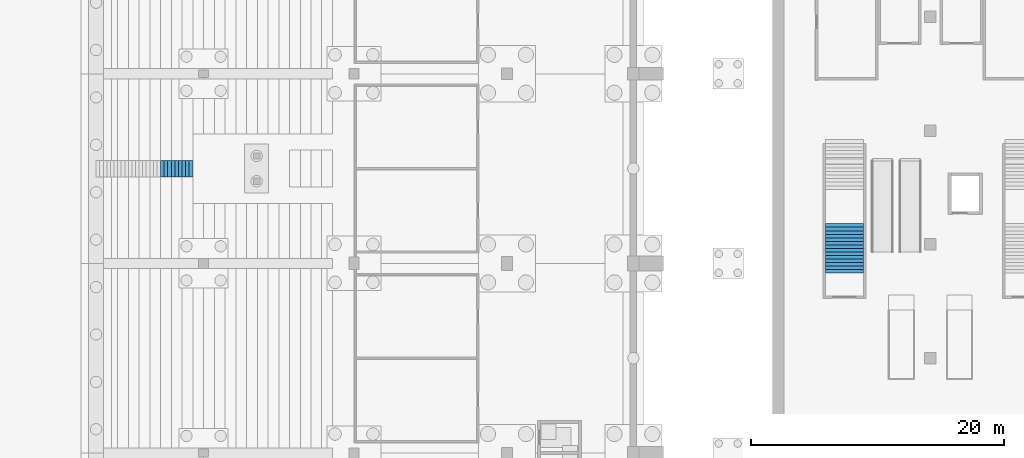
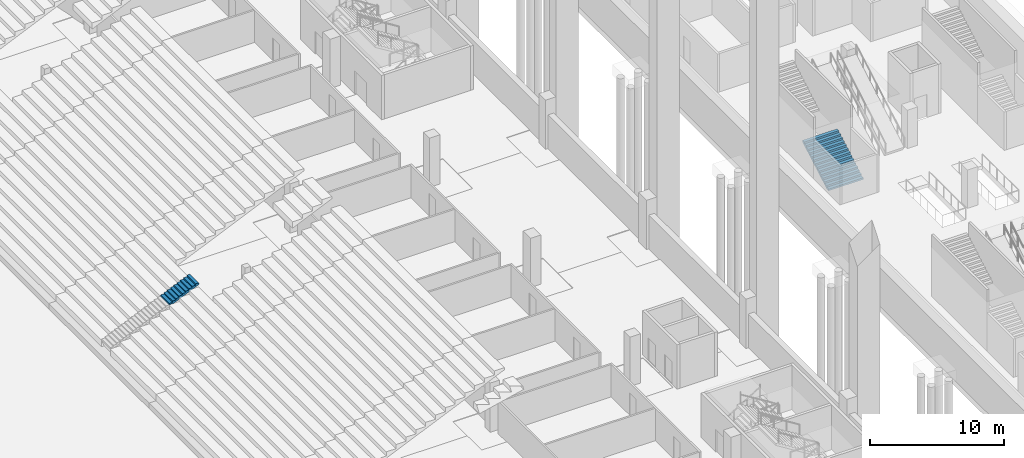
# One storey, part 86 of 115: 2 stair flights, 2 elements without a shape of their own.
"""IFC4 building model written with IfcOpenShell, lengths in metres."""

from ifc_helpers import new_model, si_unit, direction, frame, origin, place, context, subcontext, project, spatial, faceted_brep, material, type_object, element, aggregate, save


model = new_model("IFC4")

# Units and contexts
model_context = context("Model", 3, precision=1e-05, world=origin(), true_north=direction((0.0, 1.0)))
body_context = subcontext(model_context, "Body", "Model", "MODEL_VIEW")
ifc_project = project(units=[si_unit("LENGTHUNIT", "METRE"), si_unit("AREAUNIT", "SQUARE_METRE"), si_unit("VOLUMEUNIT", "CUBIC_METRE"), si_unit("PLANEANGLEUNIT", "RADIAN"), si_unit("MASSUNIT", "GRAM", prefix="KILO")], contexts=[model_context])

# Site, building, storey
site_placement = place(None, origin())
site = spatial("IfcSite", under=ifc_project, at=site_placement, CompositionType="ELEMENT")
building_placement = place(site_placement, origin())
building = spatial("IfcBuilding", under=site, at=building_placement, Name="Ogive Plaza Stadium", CompositionType="ELEMENT")
storey_placement = place(building_placement, frame((0.0, 0.0, -4.5)))
storey = spatial("IfcBuildingStorey", under=building, at=storey_placement, Name="B1", CompositionType="ELEMENT", Elevation=-4.5)

# Stair, stair flight
ifc_material_1 = material(Name="Concrete C40/50", Category="concrete")
stair_type_1 = type_object("IfcStairType", Name="Aisle stair", PredefinedType="STRAIGHT_RUN_STAIR", material=ifc_material_1)
stair_1_placement = place(storey_placement, origin())
stair_1 = element("IfcStair", 1, at=stair_1_placement, inside=storey, type_object=stair_type_1, Name="Aisle stair SA03D", PredefinedType="STRAIGHT_RUN_STAIR")
ifc_material_2 = material(Name="Concrete C40/50", Category="concrete")
stair_flight_type_1 = type_object("IfcStairFlightType", Name="Aisle stair flight", PredefinedType="STRAIGHT", material=ifc_material_2)
stair_flight_1_placement = place(storey_placement, frame((46.60009765625, 15.0, 3.375), z_axis=(0.0, 0.0, 1.0), x_axis=(1.0, 0.0, 0.0)))
stair_flight_1 = element("IfcStairFlight", 2, at=stair_flight_1_placement, type_object=stair_flight_type_1, Name="SA03D flight 2", NumberOfRisers=9, NumberOfTreads=8, PredefinedType="STRAIGHT", RiserHeight=0.125, TreadLength=0.283333333, context=body_context, shape_type="Brep", body=[
    faceted_brep([(0.371337890625, -0.64990234375, 0.0), (2.550048828125, -0.64990234375, 0.961181640625), (2.550048828125, -0.64990234375, 1.125), (2.2666015625, -0.64990234375, 1.125), (2.2666015625, -0.64990234375, 1.0), (1.9833984375, -0.64990234375, 1.0), (1.9833984375, -0.64990234375, 0.875), (1.699951171875, -0.64990234375, 0.875), (1.699951171875, -0.64990234375, 0.75), (1.416748046875, -0.64990234375, 0.75), (1.416748046875, -0.64990234375, 0.625), (1.13330078125, -0.64990234375, 0.625), (1.13330078125, -0.64990234375, 0.5), (0.85009765625, -0.64990234375, 0.5), (0.85009765625, -0.64990234375, 0.375), (0.566650390625, -0.64990234375, 0.375), (0.566650390625, -0.64990234375, 0.25), (0.283447265625, -0.64990234375, 0.25), (0.283447265625, -0.64990234375, 0.125), (0.0, -0.64990234375, 0.125), (0.0, -0.64990234375, 0.0), (0.0, 0.64990234375, 0.0), (0.0, 0.64990234375, 0.125), (0.283447265625, 0.64990234375, 0.125), (0.283447265625, 0.64990234375, 0.25), (0.566650390625, 0.64990234375, 0.25), (0.566650390625, 0.64990234375, 0.375), (0.85009765625, 0.64990234375, 0.375), (0.85009765625, 0.64990234375, 0.5), (1.13330078125, 0.64990234375, 0.5), (1.13330078125, 0.64990234375, 0.625), (1.416748046875, 0.64990234375, 0.625), (1.416748046875, 0.64990234375, 0.75), (1.699951171875, 0.64990234375, 0.75), (1.699951171875, 0.64990234375, 0.875), (1.9833984375, 0.64990234375, 0.875), (1.9833984375, 0.64990234375, 1.0), (2.2666015625, 0.64990234375, 1.0), (2.2666015625, 0.64990234375, 1.125), (2.550048828125, 0.64990234375, 1.125), (2.550048828125, 0.64990234375, 0.961181640625), (0.371337890625, 0.64990234375, 0.0), (0.371337890625, -0.324951171875, 0.0), (2.550048828125, -0.324951171875, 0.961181640625), (0.371337890625, 0.0, 0.0), (2.550048828125, 0.0, 0.961181640625), (0.371337890625, 0.324951171875, 0.0), (2.550048828125, 0.324951171875, 0.961181640625), (2.550048828125, -0.324951171875, 1.125), (2.550048828125, 0.0, 1.125), (2.550048828125, 0.324951171875, 1.125), (2.2666015625, -0.324951171875, 1.125), (2.2666015625, 0.0, 1.125), (2.2666015625, 0.324951171875, 1.125), (2.2666015625, -0.324951171875, 1.0), (2.2666015625, 0.0, 1.0), (2.2666015625, 0.324951171875, 1.0), (1.9833984375, -0.324951171875, 1.0), (1.9833984375, 0.0, 1.0), (1.9833984375, 0.324951171875, 1.0), (1.9833984375, -0.324951171875, 0.875), (1.9833984375, 0.0, 0.875), (1.9833984375, 0.324951171875, 0.875), (1.699951171875, -0.324951171875, 0.875), (1.699951171875, 0.0, 0.875), (1.699951171875, 0.324951171875, 0.875), (1.699951171875, -0.324951171875, 0.75), (1.699951171875, 0.0, 0.75), (1.699951171875, 0.324951171875, 0.75), (1.416748046875, -0.324951171875, 0.75), (1.416748046875, 0.0, 0.75), (1.416748046875, 0.324951171875, 0.75), (1.416748046875, -0.324951171875, 0.625), (1.416748046875, 0.0, 0.625), (1.416748046875, 0.324951171875, 0.625), (1.13330078125, -0.324951171875, 0.625), (1.13330078125, 0.0, 0.625), (1.13330078125, 0.324951171875, 0.625), (1.13330078125, -0.324951171875, 0.5), (1.13330078125, 0.0, 0.5), (1.13330078125, 0.324951171875, 0.5), (0.85009765625, -0.324951171875, 0.5), (0.85009765625, 0.0, 0.5), (0.85009765625, 0.324951171875, 0.5), (0.85009765625, -0.324951171875, 0.375), (0.85009765625, 0.0, 0.375), (0.85009765625, 0.324951171875, 0.375), (0.566650390625, -0.324951171875, 0.375), (0.566650390625, 0.0, 0.375), (0.566650390625, 0.324951171875, 0.375), (0.566650390625, -0.324951171875, 0.25), (0.566650390625, 0.0, 0.25), (0.566650390625, 0.324951171875, 0.25), (0.283447265625, -0.324951171875, 0.25), (0.283447265625, 0.0, 0.25), (0.283447265625, 0.324951171875, 0.25), (0.283447265625, -0.324951171875, 0.125), (0.283447265625, 0.0, 0.125), (0.283447265625, 0.324951171875, 0.125), (0.0, -0.324951171875, 0.125), (0.0, 0.0, 0.125), (0.0, 0.324951171875, 0.125), (0.0, -0.324951171875, 0.0), (0.0, 0.0, 0.0), (0.0, 0.324951171875, 0.0)], [[[0, 1, 2, 3, 4, 5, 6, 7, 8, 9, 10, 11, 12, 13, 14, 15, 16, 17, 18, 19, 20]], [[21, 22, 23, 24, 25, 26, 27, 28, 29, 30, 31, 32, 33, 34, 35, 36, 37, 38, 39, 40, 41]], [[0, 42, 43, 1]], [[42, 44, 45, 43]], [[44, 46, 47, 45]], [[46, 41, 40, 47]], [[1, 43, 48, 2]], [[43, 45, 49, 48]], [[45, 47, 50, 49]], [[47, 40, 39, 50]], [[2, 48, 51, 3]], [[48, 49, 52, 51]], [[49, 50, 53, 52]], [[50, 39, 38, 53]], [[3, 51, 54, 4]], [[51, 52, 55, 54]], [[52, 53, 56, 55]], [[53, 38, 37, 56]], [[4, 54, 57, 5]], [[54, 55, 58, 57]], [[55, 56, 59, 58]], [[56, 37, 36, 59]], [[5, 57, 60, 6]], [[57, 58, 61, 60]], [[58, 59, 62, 61]], [[59, 36, 35, 62]], [[6, 60, 63, 7]], [[60, 61, 64, 63]], [[61, 62, 65, 64]], [[62, 35, 34, 65]], [[7, 63, 66, 8]], [[63, 64, 67, 66]], [[64, 65, 68, 67]], [[65, 34, 33, 68]], [[8, 66, 69, 9]], [[66, 67, 70, 69]], [[67, 68, 71, 70]], [[68, 33, 32, 71]], [[9, 69, 72, 10]], [[69, 70, 73, 72]], [[70, 71, 74, 73]], [[71, 32, 31, 74]], [[10, 72, 75, 11]], [[72, 73, 76, 75]], [[73, 74, 77, 76]], [[74, 31, 30, 77]], [[11, 75, 78, 12]], [[75, 76, 79, 78]], [[76, 77, 80, 79]], [[77, 30, 29, 80]], [[12, 78, 81, 13]], [[78, 79, 82, 81]], [[79, 80, 83, 82]], [[80, 29, 28, 83]], [[13, 81, 84, 14]], [[81, 82, 85, 84]], [[82, 83, 86, 85]], [[83, 28, 27, 86]], [[14, 84, 87, 15]], [[84, 85, 88, 87]], [[85, 86, 89, 88]], [[86, 27, 26, 89]], [[15, 87, 90, 16]], [[87, 88, 91, 90]], [[88, 89, 92, 91]], [[89, 26, 25, 92]], [[16, 90, 93, 17]], [[90, 91, 94, 93]], [[91, 92, 95, 94]], [[92, 25, 24, 95]], [[17, 93, 96, 18]], [[93, 94, 97, 96]], [[94, 95, 98, 97]], [[95, 24, 23, 98]], [[18, 96, 99, 19]], [[96, 97, 100, 99]], [[97, 98, 101, 100]], [[98, 23, 22, 101]], [[19, 99, 102, 20]], [[99, 100, 103, 102]], [[100, 101, 104, 103]], [[101, 22, 21, 104]], [[20, 102, 42, 0]], [[102, 103, 44, 42]], [[103, 104, 46, 44]], [[104, 21, 41, 46]]]),
])
aggregate(stair_1, [stair_flight_1])

ifc_material_3 = material(Name="Concrete C40/50", Category="concrete")
stair_type_2 = type_object("IfcStairType", Name="Station stair 3000", PredefinedType="TWO_STRAIGHT_RUN_STAIR", material=ifc_material_3)
stair_2_placement = place(storey_placement, origin())
stair_2 = element("IfcStair", 3, at=stair_2_placement, inside=storey, type_object=stair_type_2, Name="Stair QS3", PredefinedType="TWO_STRAIGHT_RUN_STAIR")
ifc_material_4 = material(Name="Concrete C40/50", Category="concrete")
stair_flight_type_2 = type_object("IfcStairFlightType", Name="Station stair flight 3000", PredefinedType="STRAIGHT", material=ifc_material_4)
stair_flight_2_placement = place(storey_placement, frame((100.699951171875, 6.719970703125, 0.0), z_axis=(0.0, 0.0, 1.0), x_axis=(0.0, 1.0, 0.0)))
stair_flight_2 = element("IfcStairFlight", 4, at=stair_flight_2_placement, type_object=stair_flight_type_2, Name="QS3 flight 1", NumberOfRisers=14, NumberOfTreads=13, PredefinedType="STRAIGHT", RiserHeight=0.160714286, TreadLength=0.28, context=body_context, shape_type="Brep", body=[
    faceted_brep([(0.301025390625, -1.5, 0.0), (3.919921875, -1.5, 2.0771484375), (3.919921875, -1.5, 2.25), (3.639892578125, -1.5, 2.25), (3.639892578125, -1.5, 2.08935546875), (3.360107421875, -1.5, 2.08935546875), (3.360107421875, -1.5, 1.928466796875), (3.080078125, -1.5, 1.928466796875), (3.080078125, -1.5, 1.767822265625), (2.800048828125, -1.5, 1.767822265625), (2.800048828125, -1.5, 1.607177734375), (2.52001953125, -1.5, 1.607177734375), (2.52001953125, -1.5, 1.446533203125), (2.239990234375, -1.5, 1.446533203125), (2.239990234375, -1.5, 1.28564453125), (1.9599609375, -1.5, 1.28564453125), (1.9599609375, -1.5, 1.125), (1.679931640625, -1.5, 1.125), (1.679931640625, -1.5, 0.96435546875), (1.39990234375, -1.5, 0.96435546875), (1.39990234375, -1.5, 0.803466796875), (1.1201171875, -1.5, 0.803466796875), (1.1201171875, -1.5, 0.642822265625), (0.840087890625, -1.5, 0.642822265625), (0.840087890625, -1.5, 0.482177734375), (0.56005859375, -1.5, 0.482177734375), (0.56005859375, -1.5, 0.321533203125), (0.280029296875, -1.5, 0.321533203125), (0.280029296875, -1.5, 0.16064453125), (0.0, -1.5, 0.16064453125), (0.0, -1.5, 0.0), (0.0, 1.5, 0.0), (0.0, 1.5, 0.16064453125), (0.280029296875, 1.5, 0.16064453125), (0.280029296875, 1.5, 0.321533203125), (0.56005859375, 1.5, 0.321533203125), (0.56005859375, 1.5, 0.482177734375), (0.840087890625, 1.5, 0.482177734375), (0.840087890625, 1.5, 0.642822265625), (1.1201171875, 1.5, 0.642822265625), (1.1201171875, 1.5, 0.803466796875), (1.39990234375, 1.5, 0.803466796875), (1.39990234375, 1.5, 0.96435546875), (1.679931640625, 1.5, 0.96435546875), (1.679931640625, 1.5, 1.125), (1.9599609375, 1.5, 1.125), (1.9599609375, 1.5, 1.28564453125), (2.239990234375, 1.5, 1.28564453125), (2.239990234375, 1.5, 1.446533203125), (2.52001953125, 1.5, 1.446533203125), (2.52001953125, 1.5, 1.607177734375), (2.800048828125, 1.5, 1.607177734375), (2.800048828125, 1.5, 1.767822265625), (3.080078125, 1.5, 1.767822265625), (3.080078125, 1.5, 1.928466796875), (3.360107421875, 1.5, 1.928466796875), (3.360107421875, 1.5, 2.08935546875), (3.639892578125, 1.5, 2.08935546875), (3.639892578125, 1.5, 2.25), (3.919921875, 1.5, 2.25), (3.919921875, 1.5, 2.0771484375), (0.301025390625, 1.5, 0.0), (0.301025390625, -1.166748046875, 0.0), (3.919921875, -1.166748046875, 2.0771484375), (0.301025390625, -0.833251953125, 0.0), (3.919921875, -0.833251953125, 2.0771484375), (0.301025390625, -0.5, 0.0), (3.919921875, -0.5, 2.0771484375), (0.301025390625, -0.166748046875, 0.0), (3.919921875, -0.166748046875, 2.0771484375), (0.301025390625, 0.166748046875, 0.0), (3.919921875, 0.166748046875, 2.0771484375), (0.301025390625, 0.5, 0.0), (3.919921875, 0.5, 2.0771484375), (0.301025390625, 0.833251953125, 0.0), (3.919921875, 0.833251953125, 2.0771484375), (0.301025390625, 1.166748046875, 0.0), (3.919921875, 1.166748046875, 2.0771484375), (3.919921875, -1.166748046875, 2.25), (3.919921875, -0.833251953125, 2.25), (3.919921875, -0.5, 2.25), (3.919921875, -0.166748046875, 2.25), (3.919921875, 0.166748046875, 2.25), (3.919921875, 0.5, 2.25), (3.919921875, 0.833251953125, 2.25), (3.919921875, 1.166748046875, 2.25), (3.639892578125, -1.166748046875, 2.25), (3.639892578125, -0.833251953125, 2.25), (3.639892578125, -0.5, 2.25), (3.639892578125, -0.166748046875, 2.25), (3.639892578125, 0.166748046875, 2.25), (3.639892578125, 0.5, 2.25), (3.639892578125, 0.833251953125, 2.25), (3.639892578125, 1.166748046875, 2.25), (3.639892578125, -1.166748046875, 2.08935546875), (3.639892578125, -0.833251953125, 2.08935546875), (3.639892578125, -0.5, 2.08935546875), (3.639892578125, -0.166748046875, 2.08935546875), (3.639892578125, 0.166748046875, 2.08935546875), (3.639892578125, 0.5, 2.08935546875), (3.639892578125, 0.833251953125, 2.08935546875), (3.639892578125, 1.166748046875, 2.08935546875), (3.360107421875, -1.166748046875, 2.08935546875), (3.360107421875, -0.833251953125, 2.08935546875), (3.360107421875, -0.5, 2.08935546875), (3.360107421875, -0.166748046875, 2.08935546875), (3.360107421875, 0.166748046875, 2.08935546875), (3.360107421875, 0.5, 2.08935546875), (3.360107421875, 0.833251953125, 2.08935546875), (3.360107421875, 1.166748046875, 2.08935546875), (3.360107421875, -1.166748046875, 1.928466796875), (3.360107421875, -0.833251953125, 1.928466796875), (3.360107421875, -0.5, 1.928466796875), (3.360107421875, -0.166748046875, 1.928466796875), (3.360107421875, 0.166748046875, 1.928466796875), (3.360107421875, 0.5, 1.928466796875), (3.360107421875, 0.833251953125, 1.928466796875), (3.360107421875, 1.166748046875, 1.928466796875), (3.080078125, -1.166748046875, 1.928466796875), (3.080078125, -0.833251953125, 1.928466796875), (3.080078125, -0.5, 1.928466796875), (3.080078125, -0.166748046875, 1.928466796875), (3.080078125, 0.166748046875, 1.928466796875), (3.080078125, 0.5, 1.928466796875), (3.080078125, 0.833251953125, 1.928466796875), (3.080078125, 1.166748046875, 1.928466796875), (3.080078125, -1.166748046875, 1.767822265625), (3.080078125, -0.833251953125, 1.767822265625), (3.080078125, -0.5, 1.767822265625), (3.080078125, -0.166748046875, 1.767822265625), (3.080078125, 0.166748046875, 1.767822265625), (3.080078125, 0.5, 1.767822265625), (3.080078125, 0.833251953125, 1.767822265625), (3.080078125, 1.166748046875, 1.767822265625), (2.800048828125, -1.166748046875, 1.767822265625), (2.800048828125, -0.833251953125, 1.767822265625), (2.800048828125, -0.5, 1.767822265625), (2.800048828125, -0.166748046875, 1.767822265625), (2.800048828125, 0.166748046875, 1.767822265625), (2.800048828125, 0.5, 1.767822265625), (2.800048828125, 0.833251953125, 1.767822265625), (2.800048828125, 1.166748046875, 1.767822265625), (2.800048828125, -1.166748046875, 1.607177734375), (2.800048828125, -0.833251953125, 1.607177734375), (2.800048828125, -0.5, 1.607177734375), (2.800048828125, -0.166748046875, 1.607177734375), (2.800048828125, 0.166748046875, 1.607177734375), (2.800048828125, 0.5, 1.607177734375), (2.800048828125, 0.833251953125, 1.607177734375), (2.800048828125, 1.166748046875, 1.607177734375), (2.52001953125, -1.166748046875, 1.607177734375), (2.52001953125, -0.833251953125, 1.607177734375), (2.52001953125, -0.5, 1.607177734375), (2.52001953125, -0.166748046875, 1.607177734375), (2.52001953125, 0.166748046875, 1.607177734375), (2.52001953125, 0.5, 1.607177734375), (2.52001953125, 0.833251953125, 1.607177734375), (2.52001953125, 1.166748046875, 1.607177734375), (2.52001953125, -1.166748046875, 1.446533203125), (2.52001953125, -0.833251953125, 1.446533203125), (2.52001953125, -0.5, 1.446533203125), (2.52001953125, -0.166748046875, 1.446533203125), (2.52001953125, 0.166748046875, 1.446533203125), (2.52001953125, 0.5, 1.446533203125), (2.52001953125, 0.833251953125, 1.446533203125), (2.52001953125, 1.166748046875, 1.446533203125), (2.239990234375, -1.166748046875, 1.446533203125), (2.239990234375, -0.833251953125, 1.446533203125), (2.239990234375, -0.5, 1.446533203125), (2.239990234375, -0.166748046875, 1.446533203125), (2.239990234375, 0.166748046875, 1.446533203125), (2.239990234375, 0.5, 1.446533203125), (2.239990234375, 0.833251953125, 1.446533203125), (2.239990234375, 1.166748046875, 1.446533203125), (2.239990234375, -1.166748046875, 1.28564453125), (2.239990234375, -0.833251953125, 1.28564453125), (2.239990234375, -0.5, 1.28564453125), (2.239990234375, -0.166748046875, 1.28564453125), (2.239990234375, 0.166748046875, 1.28564453125), (2.239990234375, 0.5, 1.28564453125), (2.239990234375, 0.833251953125, 1.28564453125), (2.239990234375, 1.166748046875, 1.28564453125), (1.9599609375, -1.166748046875, 1.28564453125), (1.9599609375, -0.833251953125, 1.28564453125), (1.9599609375, -0.5, 1.28564453125), (1.9599609375, -0.166748046875, 1.28564453125), (1.9599609375, 0.166748046875, 1.28564453125), (1.9599609375, 0.5, 1.28564453125), (1.9599609375, 0.833251953125, 1.28564453125), (1.9599609375, 1.166748046875, 1.28564453125), (1.9599609375, -1.166748046875, 1.125), (1.9599609375, -0.833251953125, 1.125), (1.9599609375, -0.5, 1.125), (1.9599609375, -0.166748046875, 1.125), (1.9599609375, 0.166748046875, 1.125), (1.9599609375, 0.5, 1.125), (1.9599609375, 0.833251953125, 1.125), (1.9599609375, 1.166748046875, 1.125), (1.679931640625, -1.166748046875, 1.125), (1.679931640625, -0.833251953125, 1.125), (1.679931640625, -0.5, 1.125), (1.679931640625, -0.166748046875, 1.125), (1.679931640625, 0.166748046875, 1.125), (1.679931640625, 0.5, 1.125), (1.679931640625, 0.833251953125, 1.125), (1.679931640625, 1.166748046875, 1.125), (1.679931640625, -1.166748046875, 0.96435546875), (1.679931640625, -0.833251953125, 0.96435546875), (1.679931640625, -0.5, 0.96435546875), (1.679931640625, -0.166748046875, 0.96435546875), (1.679931640625, 0.166748046875, 0.96435546875), (1.679931640625, 0.5, 0.96435546875), (1.679931640625, 0.833251953125, 0.96435546875), (1.679931640625, 1.166748046875, 0.96435546875), (1.39990234375, -1.166748046875, 0.96435546875), (1.39990234375, -0.833251953125, 0.96435546875), (1.39990234375, -0.5, 0.96435546875), (1.39990234375, -0.166748046875, 0.96435546875), (1.39990234375, 0.166748046875, 0.96435546875), (1.39990234375, 0.5, 0.96435546875), (1.39990234375, 0.833251953125, 0.96435546875), (1.39990234375, 1.166748046875, 0.96435546875), (1.39990234375, -1.166748046875, 0.803466796875), (1.39990234375, -0.833251953125, 0.803466796875), (1.39990234375, -0.5, 0.803466796875), (1.39990234375, -0.166748046875, 0.803466796875), (1.39990234375, 0.166748046875, 0.803466796875), (1.39990234375, 0.5, 0.803466796875), (1.39990234375, 0.833251953125, 0.803466796875), (1.39990234375, 1.166748046875, 0.803466796875), (1.1201171875, -1.166748046875, 0.803466796875), (1.1201171875, -0.833251953125, 0.803466796875), (1.1201171875, -0.5, 0.803466796875), (1.1201171875, -0.166748046875, 0.803466796875), (1.1201171875, 0.166748046875, 0.803466796875), (1.1201171875, 0.5, 0.803466796875), (1.1201171875, 0.833251953125, 0.803466796875), (1.1201171875, 1.166748046875, 0.803466796875), (1.1201171875, -1.166748046875, 0.642822265625), (1.1201171875, -0.833251953125, 0.642822265625), (1.1201171875, -0.5, 0.642822265625), (1.1201171875, -0.166748046875, 0.642822265625), (1.1201171875, 0.166748046875, 0.642822265625), (1.1201171875, 0.5, 0.642822265625), (1.1201171875, 0.833251953125, 0.642822265625), (1.1201171875, 1.166748046875, 0.642822265625), (0.840087890625, -1.166748046875, 0.642822265625), (0.840087890625, -0.833251953125, 0.642822265625), (0.840087890625, -0.5, 0.642822265625), (0.840087890625, -0.166748046875, 0.642822265625), (0.840087890625, 0.166748046875, 0.642822265625), (0.840087890625, 0.5, 0.642822265625), (0.840087890625, 0.833251953125, 0.642822265625), (0.840087890625, 1.166748046875, 0.642822265625), (0.840087890625, -1.166748046875, 0.482177734375), (0.840087890625, -0.833251953125, 0.482177734375), (0.840087890625, -0.5, 0.482177734375), (0.840087890625, -0.166748046875, 0.482177734375), (0.840087890625, 0.166748046875, 0.482177734375), (0.840087890625, 0.5, 0.482177734375), (0.840087890625, 0.833251953125, 0.482177734375), (0.840087890625, 1.166748046875, 0.482177734375), (0.56005859375, -1.166748046875, 0.482177734375), (0.56005859375, -0.833251953125, 0.482177734375), (0.56005859375, -0.5, 0.482177734375), (0.56005859375, -0.166748046875, 0.482177734375), (0.56005859375, 0.166748046875, 0.482177734375), (0.56005859375, 0.5, 0.482177734375), (0.56005859375, 0.833251953125, 0.482177734375), (0.56005859375, 1.166748046875, 0.482177734375), (0.56005859375, -1.166748046875, 0.321533203125), (0.56005859375, -0.833251953125, 0.321533203125), (0.56005859375, -0.5, 0.321533203125), (0.56005859375, -0.166748046875, 0.321533203125), (0.56005859375, 0.166748046875, 0.321533203125), (0.56005859375, 0.5, 0.321533203125), (0.56005859375, 0.833251953125, 0.321533203125), (0.56005859375, 1.166748046875, 0.321533203125), (0.280029296875, -1.166748046875, 0.321533203125), (0.280029296875, -0.833251953125, 0.321533203125), (0.280029296875, -0.5, 0.321533203125), (0.280029296875, -0.166748046875, 0.321533203125), (0.280029296875, 0.166748046875, 0.321533203125), (0.280029296875, 0.5, 0.321533203125), (0.280029296875, 0.833251953125, 0.321533203125), (0.280029296875, 1.166748046875, 0.321533203125), (0.280029296875, -1.166748046875, 0.16064453125), (0.280029296875, -0.833251953125, 0.16064453125), (0.280029296875, -0.5, 0.16064453125), (0.280029296875, -0.166748046875, 0.16064453125), (0.280029296875, 0.166748046875, 0.16064453125), (0.280029296875, 0.5, 0.16064453125), (0.280029296875, 0.833251953125, 0.16064453125), (0.280029296875, 1.166748046875, 0.16064453125), (0.0, -1.166748046875, 0.16064453125), (0.0, -0.833251953125, 0.16064453125), (0.0, -0.5, 0.16064453125), (0.0, -0.166748046875, 0.16064453125), (0.0, 0.166748046875, 0.16064453125), (0.0, 0.5, 0.16064453125), (0.0, 0.833251953125, 0.16064453125), (0.0, 1.166748046875, 0.16064453125), (0.0, -1.166748046875, 0.0), (0.0, -0.833251953125, 0.0), (0.0, -0.5, 0.0), (0.0, -0.166748046875, 0.0), (0.0, 0.166748046875, 0.0), (0.0, 0.5, 0.0), (0.0, 0.833251953125, 0.0), (0.0, 1.166748046875, 0.0)], [[[0, 1, 2, 3, 4, 5, 6, 7, 8, 9, 10, 11, 12, 13, 14, 15, 16, 17, 18, 19, 20, 21, 22, 23, 24, 25, 26, 27, 28, 29, 30]], [[31, 32, 33, 34, 35, 36, 37, 38, 39, 40, 41, 42, 43, 44, 45, 46, 47, 48, 49, 50, 51, 52, 53, 54, 55, 56, 57, 58, 59, 60, 61]], [[0, 62, 63, 1]], [[62, 64, 65, 63]], [[64, 66, 67, 65]], [[66, 68, 69, 67]], [[68, 70, 71, 69]], [[70, 72, 73, 71]], [[72, 74, 75, 73]], [[74, 76, 77, 75]], [[76, 61, 60, 77]], [[1, 63, 78, 2]], [[63, 65, 79, 78]], [[65, 67, 80, 79]], [[67, 69, 81, 80]], [[69, 71, 82, 81]], [[71, 73, 83, 82]], [[73, 75, 84, 83]], [[75, 77, 85, 84]], [[77, 60, 59, 85]], [[2, 78, 86, 3]], [[78, 79, 87, 86]], [[79, 80, 88, 87]], [[80, 81, 89, 88]], [[81, 82, 90, 89]], [[82, 83, 91, 90]], [[83, 84, 92, 91]], [[84, 85, 93, 92]], [[85, 59, 58, 93]], [[3, 86, 94, 4]], [[86, 87, 95, 94]], [[87, 88, 96, 95]], [[88, 89, 97, 96]], [[89, 90, 98, 97]], [[90, 91, 99, 98]], [[91, 92, 100, 99]], [[92, 93, 101, 100]], [[93, 58, 57, 101]], [[4, 94, 102, 5]], [[94, 95, 103, 102]], [[95, 96, 104, 103]], [[96, 97, 105, 104]], [[97, 98, 106, 105]], [[98, 99, 107, 106]], [[99, 100, 108, 107]], [[100, 101, 109, 108]], [[101, 57, 56, 109]], [[5, 102, 110, 6]], [[102, 103, 111, 110]], [[103, 104, 112, 111]], [[104, 105, 113, 112]], [[105, 106, 114, 113]], [[106, 107, 115, 114]], [[107, 108, 116, 115]], [[108, 109, 117, 116]], [[109, 56, 55, 117]], [[6, 110, 118, 7]], [[110, 111, 119, 118]], [[111, 112, 120, 119]], [[112, 113, 121, 120]], [[113, 114, 122, 121]], [[114, 115, 123, 122]], [[115, 116, 124, 123]], [[116, 117, 125, 124]], [[117, 55, 54, 125]], [[7, 118, 126, 8]], [[118, 119, 127, 126]], [[119, 120, 128, 127]], [[120, 121, 129, 128]], [[121, 122, 130, 129]], [[122, 123, 131, 130]], [[123, 124, 132, 131]], [[124, 125, 133, 132]], [[125, 54, 53, 133]], [[8, 126, 134, 9]], [[126, 127, 135, 134]], [[127, 128, 136, 135]], [[128, 129, 137, 136]], [[129, 130, 138, 137]], [[130, 131, 139, 138]], [[131, 132, 140, 139]], [[132, 133, 141, 140]], [[133, 53, 52, 141]], [[9, 134, 142, 10]], [[134, 135, 143, 142]], [[135, 136, 144, 143]], [[136, 137, 145, 144]], [[137, 138, 146, 145]], [[138, 139, 147, 146]], [[139, 140, 148, 147]], [[140, 141, 149, 148]], [[141, 52, 51, 149]], [[10, 142, 150, 11]], [[142, 143, 151, 150]], [[143, 144, 152, 151]], [[144, 145, 153, 152]], [[145, 146, 154, 153]], [[146, 147, 155, 154]], [[147, 148, 156, 155]], [[148, 149, 157, 156]], [[149, 51, 50, 157]], [[11, 150, 158, 12]], [[150, 151, 159, 158]], [[151, 152, 160, 159]], [[152, 153, 161, 160]], [[153, 154, 162, 161]], [[154, 155, 163, 162]], [[155, 156, 164, 163]], [[156, 157, 165, 164]], [[157, 50, 49, 165]], [[12, 158, 166, 13]], [[158, 159, 167, 166]], [[159, 160, 168, 167]], [[160, 161, 169, 168]], [[161, 162, 170, 169]], [[162, 163, 171, 170]], [[163, 164, 172, 171]], [[164, 165, 173, 172]], [[165, 49, 48, 173]], [[13, 166, 174, 14]], [[166, 167, 175, 174]], [[167, 168, 176, 175]], [[168, 169, 177, 176]], [[169, 170, 178, 177]], [[170, 171, 179, 178]], [[171, 172, 180, 179]], [[172, 173, 181, 180]], [[173, 48, 47, 181]], [[14, 174, 182, 15]], [[174, 175, 183, 182]], [[175, 176, 184, 183]], [[176, 177, 185, 184]], [[177, 178, 186, 185]], [[178, 179, 187, 186]], [[179, 180, 188, 187]], [[180, 181, 189, 188]], [[181, 47, 46, 189]], [[15, 182, 190, 16]], [[182, 183, 191, 190]], [[183, 184, 192, 191]], [[184, 185, 193, 192]], [[185, 186, 194, 193]], [[186, 187, 195, 194]], [[187, 188, 196, 195]], [[188, 189, 197, 196]], [[189, 46, 45, 197]], [[16, 190, 198, 17]], [[190, 191, 199, 198]], [[191, 192, 200, 199]], [[192, 193, 201, 200]], [[193, 194, 202, 201]], [[194, 195, 203, 202]], [[195, 196, 204, 203]], [[196, 197, 205, 204]], [[197, 45, 44, 205]], [[17, 198, 206, 18]], [[198, 199, 207, 206]], [[199, 200, 208, 207]], [[200, 201, 209, 208]], [[201, 202, 210, 209]], [[202, 203, 211, 210]], [[203, 204, 212, 211]], [[204, 205, 213, 212]], [[205, 44, 43, 213]], [[18, 206, 214, 19]], [[206, 207, 215, 214]], [[207, 208, 216, 215]], [[208, 209, 217, 216]], [[209, 210, 218, 217]], [[210, 211, 219, 218]], [[211, 212, 220, 219]], [[212, 213, 221, 220]], [[213, 43, 42, 221]], [[19, 214, 222, 20]], [[214, 215, 223, 222]], [[215, 216, 224, 223]], [[216, 217, 225, 224]], [[217, 218, 226, 225]], [[218, 219, 227, 226]], [[219, 220, 228, 227]], [[220, 221, 229, 228]], [[221, 42, 41, 229]], [[20, 222, 230, 21]], [[222, 223, 231, 230]], [[223, 224, 232, 231]], [[224, 225, 233, 232]], [[225, 226, 234, 233]], [[226, 227, 235, 234]], [[227, 228, 236, 235]], [[228, 229, 237, 236]], [[229, 41, 40, 237]], [[21, 230, 238, 22]], [[230, 231, 239, 238]], [[231, 232, 240, 239]], [[232, 233, 241, 240]], [[233, 234, 242, 241]], [[234, 235, 243, 242]], [[235, 236, 244, 243]], [[236, 237, 245, 244]], [[237, 40, 39, 245]], [[22, 238, 246, 23]], [[238, 239, 247, 246]], [[239, 240, 248, 247]], [[240, 241, 249, 248]], [[241, 242, 250, 249]], [[242, 243, 251, 250]], [[243, 244, 252, 251]], [[244, 245, 253, 252]], [[245, 39, 38, 253]], [[23, 246, 254, 24]], [[246, 247, 255, 254]], [[247, 248, 256, 255]], [[248, 249, 257, 256]], [[249, 250, 258, 257]], [[250, 251, 259, 258]], [[251, 252, 260, 259]], [[252, 253, 261, 260]], [[253, 38, 37, 261]], [[24, 254, 262, 25]], [[254, 255, 263, 262]], [[255, 256, 264, 263]], [[256, 257, 265, 264]], [[257, 258, 266, 265]], [[258, 259, 267, 266]], [[259, 260, 268, 267]], [[260, 261, 269, 268]], [[261, 37, 36, 269]], [[25, 262, 270, 26]], [[262, 263, 271, 270]], [[263, 264, 272, 271]], [[264, 265, 273, 272]], [[265, 266, 274, 273]], [[266, 267, 275, 274]], [[267, 268, 276, 275]], [[268, 269, 277, 276]], [[269, 36, 35, 277]], [[26, 270, 278, 27]], [[270, 271, 279, 278]], [[271, 272, 280, 279]], [[272, 273, 281, 280]], [[273, 274, 282, 281]], [[274, 275, 283, 282]], [[275, 276, 284, 283]], [[276, 277, 285, 284]], [[277, 35, 34, 285]], [[27, 278, 286, 28]], [[278, 279, 287, 286]], [[279, 280, 288, 287]], [[280, 281, 289, 288]], [[281, 282, 290, 289]], [[282, 283, 291, 290]], [[283, 284, 292, 291]], [[284, 285, 293, 292]], [[285, 34, 33, 293]], [[28, 286, 294, 29]], [[286, 287, 295, 294]], [[287, 288, 296, 295]], [[288, 289, 297, 296]], [[289, 290, 298, 297]], [[290, 291, 299, 298]], [[291, 292, 300, 299]], [[292, 293, 301, 300]], [[293, 33, 32, 301]], [[29, 294, 302, 30]], [[294, 295, 303, 302]], [[295, 296, 304, 303]], [[296, 297, 305, 304]], [[297, 298, 306, 305]], [[298, 299, 307, 306]], [[299, 300, 308, 307]], [[300, 301, 309, 308]], [[301, 32, 31, 309]], [[30, 302, 62, 0]], [[302, 303, 64, 62]], [[303, 304, 66, 64]], [[304, 305, 68, 66]], [[305, 306, 70, 68]], [[306, 307, 72, 70]], [[307, 308, 74, 72]], [[308, 309, 76, 74]], [[309, 31, 61, 76]]]),
])
aggregate(stair_2, [stair_flight_2])

save(model, "model.ifc")
